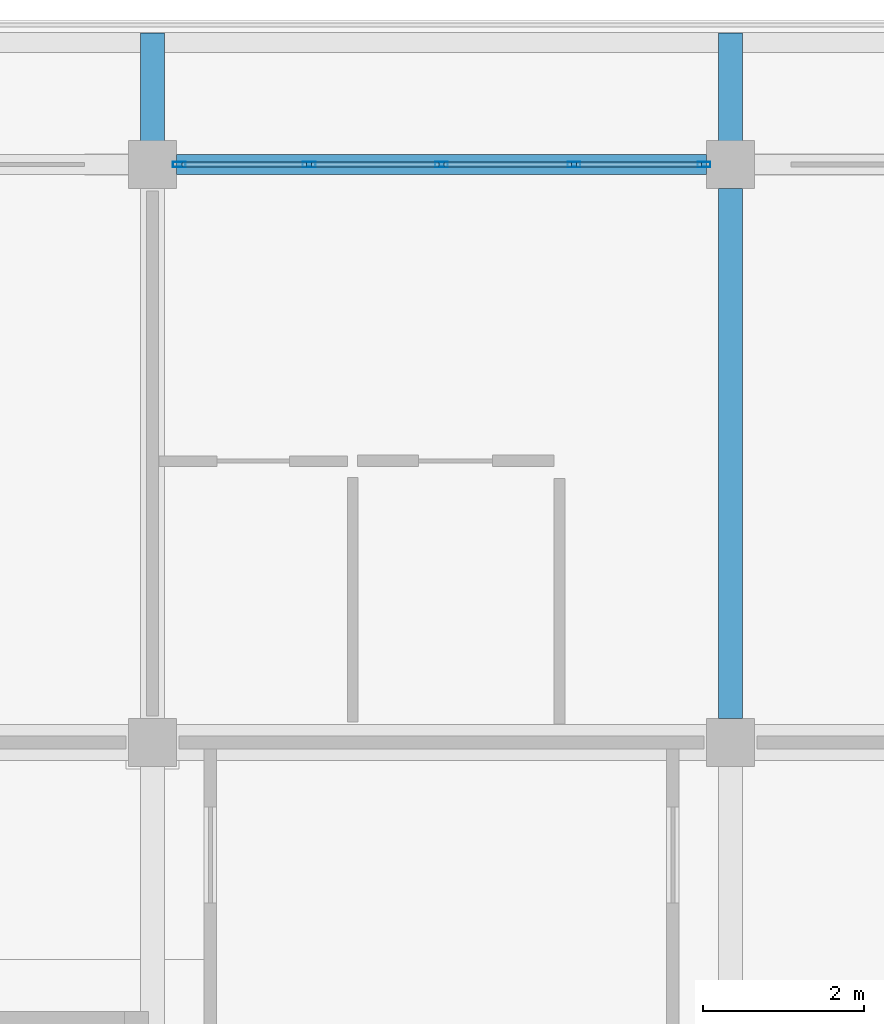
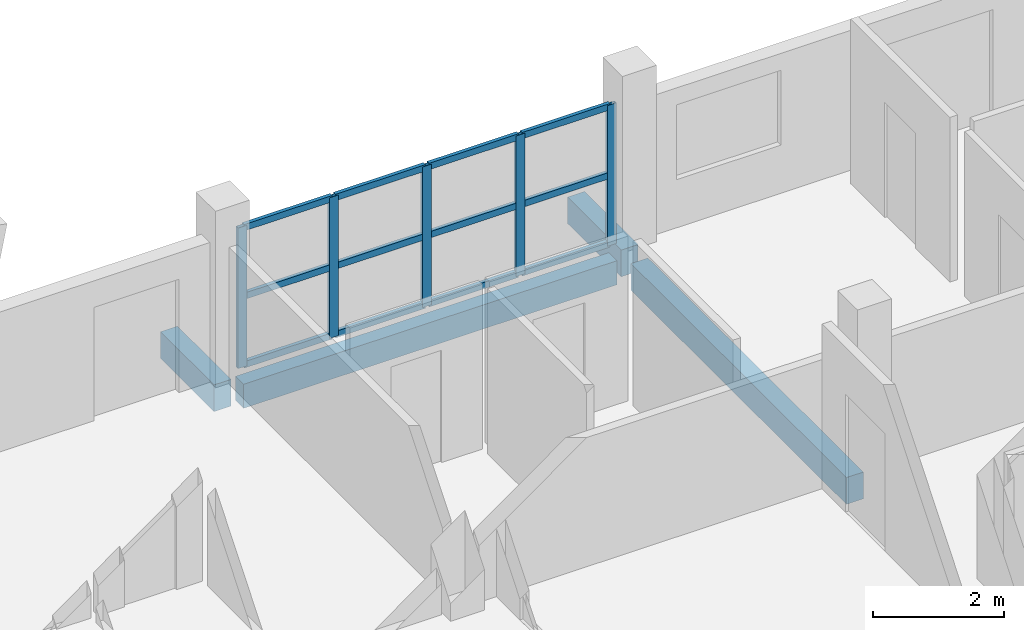
# One storey, part 10 of 60: 17 members, 4 beams, 1 element without a shape of its own.
"""IFC4 building model written with IfcOpenShell, lengths in metres."""

from ifc_helpers import new_model, si_unit, direction, frame, origin, origin_2d, place, context, subcontext, project, spatial, rectangle, hollow_rectangle, extrude, material, material_profile, profile_set, type_object, element, aggregate, save


model = new_model("IFC4")

# Units and contexts
model_context = context("Model", 3, precision=1e-05, world=origin(), true_north=direction((0.0, 1.0)))
body_context = subcontext(model_context, "Body", "Model", "MODEL_VIEW")
ifc_project = project(units=[si_unit("LENGTHUNIT", "METRE"), si_unit("AREAUNIT", "SQUARE_METRE"), si_unit("VOLUMEUNIT", "CUBIC_METRE"), si_unit("PLANEANGLEUNIT", "RADIAN"), si_unit("MASSUNIT", "GRAM", prefix="KILO")], contexts=[model_context])

# Site, building, storey
site_placement = place(None, origin())
site = spatial("IfcSite", under=ifc_project, at=site_placement, CompositionType="ELEMENT")
building_placement = place(site_placement, origin())
building = spatial("IfcBuilding", under=site, at=building_placement, Name="Suanplinth Sawtooth Commons", CompositionType="ELEMENT")
storey_placement = place(building_placement, frame((0.0, 0.0, 31.5)))
storey = spatial("IfcBuildingStorey", under=building, at=storey_placement, Name="L09", CompositionType="ELEMENT", Elevation=31.5)

# Beams
ifc_material_1 = material(Name="Precast concrete C40/50", Category="concrete")
ifc_material_profile_1 = material_profile(ifc_material_1, rectangle(XDim=0.300048828125, YDim=0.5, at=origin_2d()), Name="PC-BM 300x500")
ifc_profile_set_1 = profile_set([ifc_material_profile_1], Name="Precast concrete C40/50")
beam_type_1 = type_object("IfcBeamType", Name="B-07", PredefinedType="BEAM", material=ifc_profile_set_1)
beam_1_placement = place(storey_placement, frame((57.60009765625, 115.5, -0.5), z_axis=(0.0, 1.0, 0.0), x_axis=(-1.0, 0.0, 0.0)))
element("IfcBeam", 1, at=beam_1_placement, inside=storey, type_object=beam_type_1, Name="BMY-L09-A-8-16", PredefinedType="BEAM", context=body_context, shape_type="SweptSolid", body=[
    extrude(rectangle(XDim=0.300048828125, YDim=0.5, at=origin_2d()), origin(), (0.0, 0.0, 1.0), 6.60009765625),
])
for number, where, z_axis, x_axis, name in (
    (2, (50.39990234375, 122.39990234375, -0.429931640625), (0.0, 1.0, 0.0), (-1.0, 0.0, 0.0), "Balcony Outrigger L09-A-N-7"),
    (3, (57.60009765625, 122.39990234375, -0.429931640625), (0.0, 1.0, 0.0), (-1.0, 0.0, 0.0), "Balcony Outrigger L09-A-N-8"),
):
    element("IfcBeam", number, at=place(storey_placement, frame(where, z_axis=z_axis, x_axis=x_axis)), inside=storey, type_object=beam_type_1, Name=name, PredefinedType="BEAM", context=body_context, shape_type="SweptSolid", body=[
        extrude(rectangle(XDim=0.300048828125, YDim=0.5, at=origin_2d()), origin(), (0.0, 0.0, 1.0), 1.64013671875),
    ])
ifc_material_profile_2 = material_profile(ifc_material_1, rectangle(XDim=0.25, YDim=0.449951171875, at=origin_2d()), Name="PC-SP 250x450")
ifc_profile_set_2 = profile_set([ifc_material_profile_2], Name="Precast concrete C40/50")
beam_type_2 = type_object("IfcBeamType", Name="B-09", PredefinedType="SPANDREL", material=ifc_profile_set_2)
beam_2_placement = place(storey_placement, frame((50.699951171875, 122.39990234375, -0.47509765625), z_axis=(1.0, 0.0, 0.0), x_axis=(0.0, 1.0, 0.0)))
element("IfcBeam", 4, at=beam_2_placement, inside=storey, type_object=beam_type_2, Name="BMX-L09-A-7-17", PredefinedType="SPANDREL", context=body_context, shape_type="SweptSolid", body=[
    extrude(rectangle(XDim=0.25, YDim=0.449951171875, at=origin_2d()), origin(), (0.0, 0.0, 1.0), 6.60009765625),
])

# Curtain wall, members
ifc_material_2 = material(Name="Anodized aluminium and low-E glazing", Category="aluminium")
curtain_wall_type = type_object("IfcCurtainWallType", Name="CW-06", PredefinedType="USERDEFINED", material=ifc_material_2)
curtain_wall_placement = place(storey_placement, origin())
curtain_wall = element("IfcCurtainWall", 5, at=curtain_wall_placement, inside=storey, type_object=curtain_wall_type, Name="Curtain Wall CW-L09-A-LOUNGE-5", ObjectType="CURTAIN WALL", PredefinedType="USERDEFINED")
ifc_material_3 = material(Name="Anodized aluminium 6063-T6", Category="aluminium")
ifc_material_profile_3 = material_profile(ifc_material_3, hollow_rectangle(XDim=0.06494140625, YDim=0.159912109375, WallThickness=0.00390625, at=origin_2d()), Name="ALU-MUL 65x160")
ifc_profile_set_3 = profile_set([ifc_material_profile_3], Name="Anodized aluminium 6063-T6")
member_type_1 = type_object("IfcMemberType", Name="M-13", PredefinedType="MULLION", material=ifc_profile_set_3)
member_1_placement = place(storey_placement, frame((50.732421875, 122.39990234375, 0.0), z_axis=(0.0, 0.0, 1.0), x_axis=(0.0, 1.0, 0.0)))
member_1 = element("IfcMember", 6, at=member_1_placement, type_object=member_type_1, Name="CW-06 mullion 1", PredefinedType="MULLION", context=body_context, shape_type="SweptSolid", body=[
    extrude(hollow_rectangle(XDim=0.06494140625, YDim=0.159912109375, WallThickness=0.00390625, at=origin_2d()), origin(), (0.0, 0.0, 1.0), 2.6298828125),
])
member_2_placement = place(storey_placement, frame((52.35009765625, 122.39990234375, 0.0), z_axis=(0.0, 0.0, 1.0), x_axis=(0.0, 1.0, 0.0)))
member_2 = element("IfcMember", 7, at=member_2_placement, type_object=member_type_1, Name="CW-06 mullion 2", PredefinedType="MULLION", context=body_context, shape_type="SweptSolid", body=[
    extrude(hollow_rectangle(XDim=0.06494140625, YDim=0.159912109375, WallThickness=0.00390625, at=origin_2d()), origin(), (0.0, 0.0, 1.0), 2.6298828125),
])
member_3_placement = place(storey_placement, frame((54.0, 122.39990234375, 0.0), z_axis=(0.0, 0.0, 1.0), x_axis=(0.0, 1.0, 0.0)))
member_3 = element("IfcMember", 8, at=member_3_placement, type_object=member_type_1, Name="CW-06 mullion 3", PredefinedType="MULLION", context=body_context, shape_type="SweptSolid", body=[
    extrude(hollow_rectangle(XDim=0.06494140625, YDim=0.159912109375, WallThickness=0.00390625, at=origin_2d()), origin(), (0.0, 0.0, 1.0), 2.6298828125),
])
member_4_placement = place(storey_placement, frame((55.64990234375, 122.39990234375, 0.0), z_axis=(0.0, 0.0, 1.0), x_axis=(0.0, 1.0, 0.0)))
member_4 = element("IfcMember", 9, at=member_4_placement, type_object=member_type_1, Name="CW-06 mullion 4", PredefinedType="MULLION", context=body_context, shape_type="SweptSolid", body=[
    extrude(hollow_rectangle(XDim=0.06494140625, YDim=0.159912109375, WallThickness=0.00390625, at=origin_2d()), origin(), (0.0, 0.0, 1.0), 2.6298828125),
])
member_5_placement = place(storey_placement, frame((57.267578125, 122.39990234375, 0.0), z_axis=(0.0, 0.0, 1.0), x_axis=(0.0, 1.0, 0.0)))
member_5 = element("IfcMember", 10, at=member_5_placement, type_object=member_type_1, Name="CW-06 mullion 5", PredefinedType="MULLION", context=body_context, shape_type="SweptSolid", body=[
    extrude(hollow_rectangle(XDim=0.06494140625, YDim=0.159912109375, WallThickness=0.00390625, at=origin_2d()), origin(), (0.0, 0.0, 1.0), 2.6298828125),
])
ifc_material_profile_4 = material_profile(ifc_material_3, hollow_rectangle(XDim=0.06494140625, YDim=0.1201171875, WallThickness=0.00390625, at=origin_2d()), Name="ALU-TRN 65x120")
ifc_profile_set_4 = profile_set([ifc_material_profile_4], Name="Anodized aluminium 6063-T6")
member_type_2 = type_object("IfcMemberType", Name="M-15", PredefinedType="USERDEFINED", material=ifc_profile_set_4)
member_6_placement = place(storey_placement, frame((50.764892578125, 122.39990234375, 0.032470703125), z_axis=(1.0, 0.0, 0.0), x_axis=(0.0, 1.0, 0.0)))
member_6 = element("IfcMember", 11, at=member_6_placement, type_object=member_type_2, Name="CW-06 transom 1.1", ObjectType="TRANSOM", PredefinedType="USERDEFINED", context=body_context, shape_type="SweptSolid", body=[
    extrude(hollow_rectangle(XDim=0.06494140625, YDim=0.1201171875, WallThickness=0.00390625, at=origin_2d()), origin(), (0.0, 0.0, 1.0), 1.552490234375),
])
member_7_placement = place(storey_placement, frame((50.764892578125, 122.39990234375, 1.31494140625), z_axis=(1.0, 0.0, 0.0), x_axis=(0.0, 1.0, 0.0)))
member_7 = element("IfcMember", 12, at=member_7_placement, type_object=member_type_2, Name="CW-06 transom 1.2", ObjectType="TRANSOM", PredefinedType="USERDEFINED", context=body_context, shape_type="SweptSolid", body=[
    extrude(hollow_rectangle(XDim=0.06494140625, YDim=0.1201171875, WallThickness=0.00390625, at=origin_2d()), origin(), (0.0, 0.0, 1.0), 1.552490234375),
])
member_8_placement = place(storey_placement, frame((50.764892578125, 122.39990234375, 2.597412109375), z_axis=(1.0, 0.0, 0.0), x_axis=(0.0, 1.0, 0.0)))
member_8 = element("IfcMember", 13, at=member_8_placement, type_object=member_type_2, Name="CW-06 transom 1.3", ObjectType="TRANSOM", PredefinedType="USERDEFINED", context=body_context, shape_type="SweptSolid", body=[
    extrude(hollow_rectangle(XDim=0.06494140625, YDim=0.1201171875, WallThickness=0.00390625, at=origin_2d()), origin(), (0.0, 0.0, 1.0), 1.552490234375),
])
member_9_placement = place(storey_placement, frame((52.382568359375, 122.39990234375, 0.032470703125), z_axis=(1.0, 0.0, 0.0), x_axis=(0.0, 1.0, 0.0)))
member_9 = element("IfcMember", 14, at=member_9_placement, type_object=member_type_2, Name="CW-06 transom 2.1", ObjectType="TRANSOM", PredefinedType="USERDEFINED", context=body_context, shape_type="SweptSolid", body=[
    extrude(hollow_rectangle(XDim=0.06494140625, YDim=0.1201171875, WallThickness=0.00390625, at=origin_2d()), origin(), (0.0, 0.0, 1.0), 1.5849609375),
])
member_10_placement = place(storey_placement, frame((52.382568359375, 122.39990234375, 1.31494140625), z_axis=(1.0, 0.0, 0.0), x_axis=(0.0, 1.0, 0.0)))
member_10 = element("IfcMember", 15, at=member_10_placement, type_object=member_type_2, Name="CW-06 transom 2.2", ObjectType="TRANSOM", PredefinedType="USERDEFINED", context=body_context, shape_type="SweptSolid", body=[
    extrude(hollow_rectangle(XDim=0.06494140625, YDim=0.1201171875, WallThickness=0.00390625, at=origin_2d()), origin(), (0.0, 0.0, 1.0), 1.5849609375),
])
member_11_placement = place(storey_placement, frame((52.382568359375, 122.39990234375, 2.597412109375), z_axis=(1.0, 0.0, 0.0), x_axis=(0.0, 1.0, 0.0)))
member_11 = element("IfcMember", 16, at=member_11_placement, type_object=member_type_2, Name="CW-06 transom 2.3", ObjectType="TRANSOM", PredefinedType="USERDEFINED", context=body_context, shape_type="SweptSolid", body=[
    extrude(hollow_rectangle(XDim=0.06494140625, YDim=0.1201171875, WallThickness=0.00390625, at=origin_2d()), origin(), (0.0, 0.0, 1.0), 1.5849609375),
])
member_12_placement = place(storey_placement, frame((54.032470703125, 122.39990234375, 0.032470703125), z_axis=(1.0, 0.0, 0.0), x_axis=(0.0, 1.0, 0.0)))
member_12 = element("IfcMember", 17, at=member_12_placement, type_object=member_type_2, Name="CW-06 transom 3.1", ObjectType="TRANSOM", PredefinedType="USERDEFINED", context=body_context, shape_type="SweptSolid", body=[
    extrude(hollow_rectangle(XDim=0.06494140625, YDim=0.1201171875, WallThickness=0.00390625, at=origin_2d()), origin(), (0.0, 0.0, 1.0), 1.5849609375),
])
member_13_placement = place(storey_placement, frame((54.032470703125, 122.39990234375, 1.31494140625), z_axis=(1.0, 0.0, 0.0), x_axis=(0.0, 1.0, 0.0)))
member_13 = element("IfcMember", 18, at=member_13_placement, type_object=member_type_2, Name="CW-06 transom 3.2", ObjectType="TRANSOM", PredefinedType="USERDEFINED", context=body_context, shape_type="SweptSolid", body=[
    extrude(hollow_rectangle(XDim=0.06494140625, YDim=0.1201171875, WallThickness=0.00390625, at=origin_2d()), origin(), (0.0, 0.0, 1.0), 1.5849609375),
])
member_14_placement = place(storey_placement, frame((54.032470703125, 122.39990234375, 2.597412109375), z_axis=(1.0, 0.0, 0.0), x_axis=(0.0, 1.0, 0.0)))
member_14 = element("IfcMember", 19, at=member_14_placement, type_object=member_type_2, Name="CW-06 transom 3.3", ObjectType="TRANSOM", PredefinedType="USERDEFINED", context=body_context, shape_type="SweptSolid", body=[
    extrude(hollow_rectangle(XDim=0.06494140625, YDim=0.1201171875, WallThickness=0.00390625, at=origin_2d()), origin(), (0.0, 0.0, 1.0), 1.5849609375),
])
member_15_placement = place(storey_placement, frame((55.6826171875, 122.39990234375, 0.032470703125), z_axis=(1.0, 0.0, 0.0), x_axis=(0.0, 1.0, 0.0)))
member_15 = element("IfcMember", 20, at=member_15_placement, type_object=member_type_2, Name="CW-06 transom 4.1", ObjectType="TRANSOM", PredefinedType="USERDEFINED", context=body_context, shape_type="SweptSolid", body=[
    extrude(hollow_rectangle(XDim=0.06494140625, YDim=0.1201171875, WallThickness=0.00390625, at=origin_2d()), origin(), (0.0, 0.0, 1.0), 1.552490234375),
])
member_16_placement = place(storey_placement, frame((55.6826171875, 122.39990234375, 1.31494140625), z_axis=(1.0, 0.0, 0.0), x_axis=(0.0, 1.0, 0.0)))
member_16 = element("IfcMember", 21, at=member_16_placement, type_object=member_type_2, Name="CW-06 transom 4.2", ObjectType="TRANSOM", PredefinedType="USERDEFINED", context=body_context, shape_type="SweptSolid", body=[
    extrude(hollow_rectangle(XDim=0.06494140625, YDim=0.1201171875, WallThickness=0.00390625, at=origin_2d()), origin(), (0.0, 0.0, 1.0), 1.552490234375),
])
member_17_placement = place(storey_placement, frame((55.6826171875, 122.39990234375, 2.597412109375), z_axis=(1.0, 0.0, 0.0), x_axis=(0.0, 1.0, 0.0)))
member_17 = element("IfcMember", 22, at=member_17_placement, type_object=member_type_2, Name="CW-06 transom 4.3", ObjectType="TRANSOM", PredefinedType="USERDEFINED", context=body_context, shape_type="SweptSolid", body=[
    extrude(hollow_rectangle(XDim=0.06494140625, YDim=0.1201171875, WallThickness=0.00390625, at=origin_2d()), origin(), (0.0, 0.0, 1.0), 1.552490234375),
])
aggregate(curtain_wall, [member_1, member_2, member_3, member_4, member_5, member_6, member_7, member_8, member_9, member_10, member_11, member_12, member_13, member_14, member_15, member_16, member_17])

save(model, "model.ifc")
